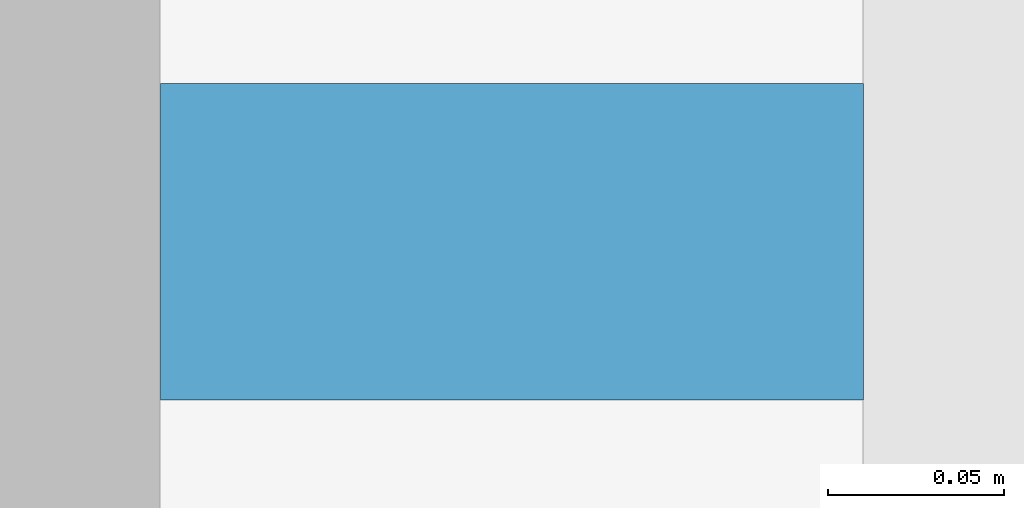
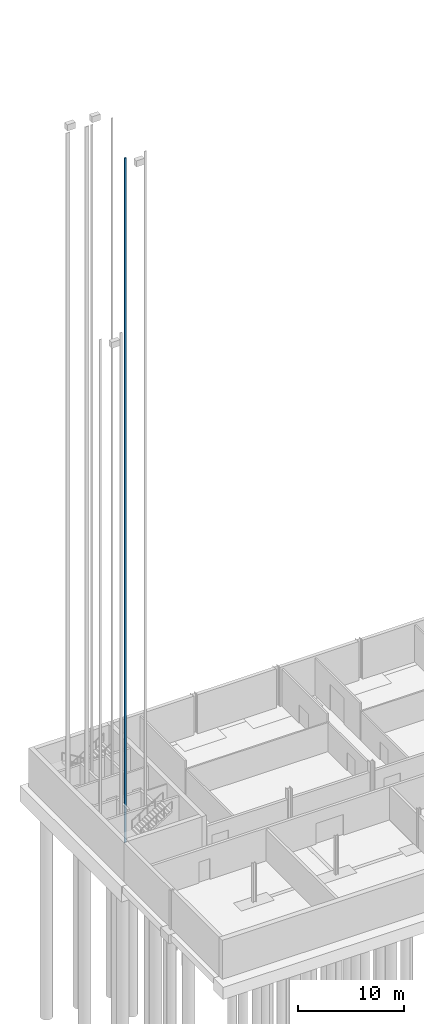
# One storey, part 21 of 41: 1 discrete accessory.
"""IFC4 building model written with IfcOpenShell, lengths in metres."""

from ifc_helpers import new_model, si_unit, direction, frame, origin, origin_2d, place, context, subcontext, project, spatial, rectangle, extrude, material, type_object, element, save


model = new_model("IFC4")

# Units and contexts
model_context = context("Model", 3, precision=1e-05, world=origin(), true_north=direction((0.0, 1.0)))
body_context = subcontext(model_context, "Body", "Model", "MODEL_VIEW")
ifc_project = project(units=[si_unit("LENGTHUNIT", "METRE"), si_unit("AREAUNIT", "SQUARE_METRE"), si_unit("VOLUMEUNIT", "CUBIC_METRE"), si_unit("PLANEANGLEUNIT", "RADIAN"), si_unit("MASSUNIT", "GRAM", prefix="KILO")], contexts=[model_context])

# Site, building, storey
site_placement = place(None, origin())
site = spatial("IfcSite", under=ifc_project, at=site_placement, CompositionType="ELEMENT")
building_placement = place(site_placement, origin())
building = spatial("IfcBuilding", under=site, at=building_placement, Name="Corbel Yard City Hall", CompositionType="ELEMENT")
storey_placement = place(building_placement, frame((0.0, 0.0, -4.5)))
storey = spatial("IfcBuildingStorey", under=building, at=storey_placement, Name="B1", CompositionType="ELEMENT", Elevation=-4.5)

# Discrete accessory
ifc_material = material(Name="Steel Grade G250", Category="steel")
discrete_accessory_type = type_object("IfcDiscreteAccessoryType", Name="LR1", PredefinedType="USERDEFINED", material=ifc_material)
discrete_accessory_placement = place(storey_placement, frame((3.35009765625, 104.550048828125, 0.0), z_axis=(0.0, 0.0, 1.0), x_axis=(1.0, 0.0, 0.0)))
element("IfcDiscreteAccessory", 1, at=discrete_accessory_placement, inside=storey, type_object=discrete_accessory_type, Name="Lift LP22 guide rail 1", ObjectType="GUIDE RAIL", PredefinedType="USERDEFINED", context=body_context, shape_type="SweptSolid", body=[
    extrude(rectangle(XDim=0.199951171875, YDim=0.090087890625, at=origin_2d()), origin(), (0.0, 0.0, 1.0), 79.0),
])

save(model, "model.ifc")
